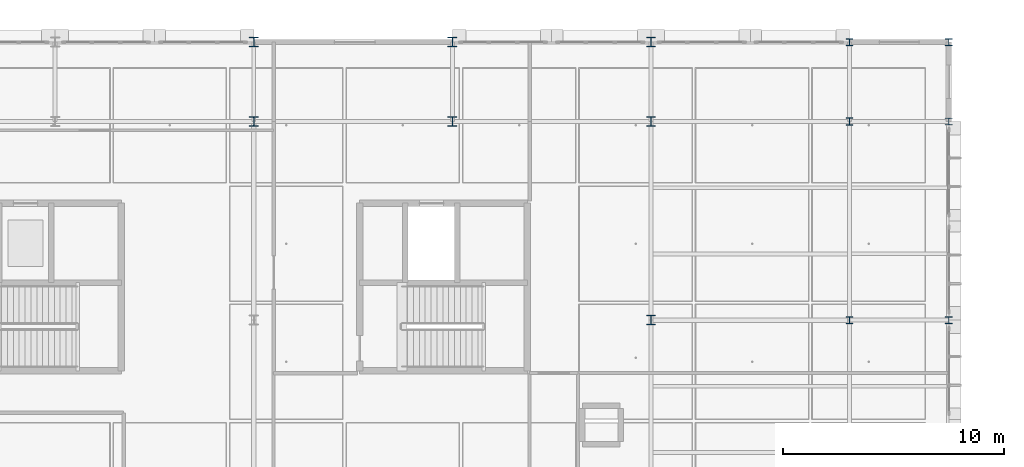
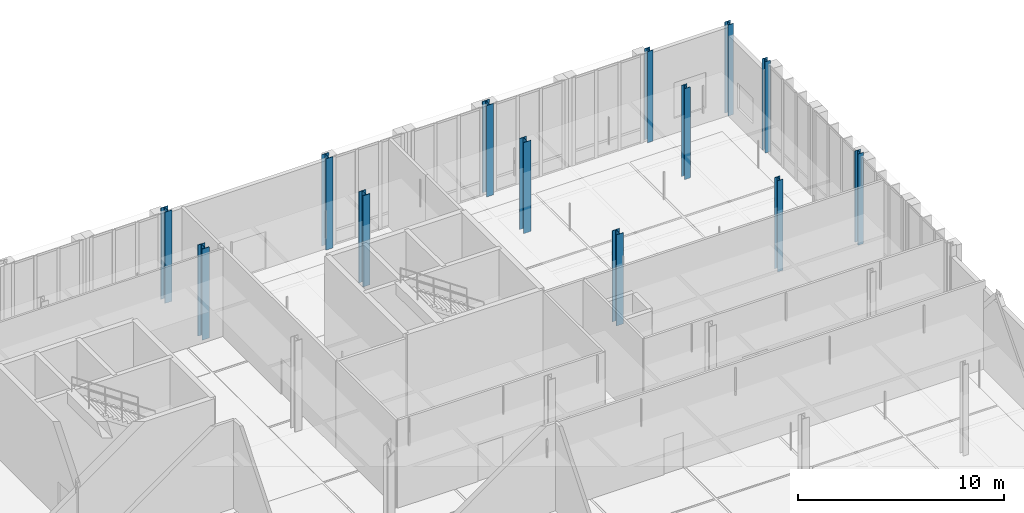
# One storey, part 27 of 180: 13 columns.
"""IFC4 building model written with IfcOpenShell, lengths in metres."""

from ifc_helpers import new_model, si_unit, direction, frame, origin, origin_2d, place, context, subcontext, project, spatial, i_section, extrude, material, material_profile, profile_set, type_object, element, save


model = new_model("IFC4")

# Units and contexts
model_context = context("Model", 3, precision=1e-05, world=origin(), true_north=direction((0.0, 1.0)))
body_context = subcontext(model_context, "Body", "Model", "MODEL_VIEW")
ifc_project = project(units=[si_unit("LENGTHUNIT", "METRE"), si_unit("AREAUNIT", "SQUARE_METRE"), si_unit("VOLUMEUNIT", "CUBIC_METRE"), si_unit("PLANEANGLEUNIT", "RADIAN"), si_unit("MASSUNIT", "GRAM", prefix="KILO"), si_unit("THERMODYNAMICTEMPERATUREUNIT", "KELVIN"), si_unit("POWERUNIT", "WATT")], contexts=[model_context])

# Site, building, storey
site_placement = place(None, origin())
site = spatial("IfcSite", under=ifc_project, at=site_placement, CompositionType="ELEMENT")
building_placement = place(site_placement, origin())
building = spatial("IfcBuilding", under=site, at=building_placement, Name="Tallowbark Science Centre", CompositionType="ELEMENT")
storey_placement = place(building_placement, origin())
storey = spatial("IfcBuildingStorey", under=building, at=storey_placement, Name="L00", CompositionType="ELEMENT", Elevation=0.0)

# Columns
ifc_material = material(Name="Structural Steel Grade 300PLUS (300 MPa)", Category="steel")
ifc_material_profile_1 = material_profile(ifc_material, i_section(OverallWidth=0.30908203125, OverallDepth=0.320556640625, WebThickness=0.013916015625, FlangeThickness=0.021728515625, FilletRadius=0.0166015625, at=origin_2d()), Name="310UC137")
ifc_profile_set_1 = profile_set([ifc_material_profile_1], Name="Structural Steel Grade 300PLUS (300 MPa)")
column_type_1 = type_object("IfcColumnType", Name="COL-UC310B", PredefinedType="COLUMN", material=ifc_profile_set_1)
for number, where, z_axis, x_axis, name in (
    (1, (157.5, 99.0, 0.0), (0.0, 0.0, 1.0), (1.0, 0.0, 0.0), "Column OBS-5_3 L00"),
    (2, (157.5, 108.0, 0.0), (0.0, 0.0, 1.0), (1.0, 0.0, 0.0), "Column OBS-5_4 L00"),
    (3, (157.5, 111.60009765625, 0.0), (0.0, 0.0, 1.0), (1.0, 0.0, 0.0), "Column OBS-5_5 L00"),
):
    element("IfcColumn", number, at=place(storey_placement, frame(where, z_axis=z_axis, x_axis=x_axis)), inside=storey, type_object=column_type_1, Name=name, PredefinedType="COLUMN", context=body_context, shape_type="SweptSolid", body=[
        extrude(i_section(OverallWidth=0.30908203125, OverallDepth=0.320556640625, WebThickness=0.013916015625, FlangeThickness=0.021728515625, FilletRadius=0.0166015625, at=origin_2d()), origin(), (0.0, 0.0, 1.0), 5.39990234375),
    ])
ifc_material_profile_2 = material_profile(ifc_material, i_section(OverallWidth=0.307373046875, OverallDepth=0.314697265625, WebThickness=0.011962890625, FlangeThickness=0.018798828125, FilletRadius=0.0166015625, at=origin_2d()), Name="310UC118")
ifc_profile_set_2 = profile_set([ifc_material_profile_2], Name="Structural Steel Grade 300PLUS (300 MPa)")
column_type_2 = type_object("IfcColumnType", Name="COL-UC310C", PredefinedType="COLUMN", material=ifc_profile_set_2)
for number, where, z_axis, x_axis, name in (
    (4, (162.0, 99.0, 0.0), (0.0, 0.0, 1.0), (1.0, 0.0, 0.0), "Column OBS-6_3 L00"),
    (5, (162.0, 108.0, 0.0), (0.0, 0.0, 1.0), (1.0, 0.0, 0.0), "Column OBS-6_4 L00"),
    (6, (162.0, 111.60009765625, 0.0), (0.0, 0.0, 1.0), (1.0, 0.0, 0.0), "Column OBS-6_5 L00"),
):
    element("IfcColumn", number, at=place(storey_placement, frame(where, z_axis=z_axis, x_axis=x_axis)), inside=storey, type_object=column_type_2, Name=name, PredefinedType="COLUMN", context=body_context, shape_type="SweptSolid", body=[
        extrude(i_section(OverallWidth=0.307373046875, OverallDepth=0.314697265625, WebThickness=0.011962890625, FlangeThickness=0.018798828125, FilletRadius=0.0166015625, at=origin_2d()), origin(), (0.0, 0.0, 1.0), 5.39990234375),
    ])
ifc_material_profile_3 = material_profile(ifc_material, i_section(OverallWidth=0.39990234375, OverallDepth=0.427978515625, WebThickness=0.02001953125, FlangeThickness=0.028076171875, FilletRadius=0.01611328125, at=origin_2d()), Name="400WC270")
ifc_profile_set_3 = profile_set([ifc_material_profile_3], Name="Structural Steel Grade 300PLUS (300 MPa)")
column_type_3 = type_object("IfcColumnType", Name="COL-WC400", PredefinedType="COLUMN", material=ifc_profile_set_3)
for number, where, z_axis, x_axis, name in (
    (7, (130.5, 108.0, 0.0), (0.0, 0.0, 1.0), (1.0, 0.0, 0.0), "Column OBS-2_4 L00"),
    (8, (130.5, 111.60009765625, 0.0), (0.0, 0.0, 1.0), (1.0, 0.0, 0.0), "Column OBS-2_5 L00"),
    (9, (139.5, 108.0, 0.0), (0.0, 0.0, 1.0), (1.0, 0.0, 0.0), "Column OBS-3_4 L00"),
    (10, (139.5, 111.60009765625, 0.0), (0.0, 0.0, 1.0), (1.0, 0.0, 0.0), "Column OBS-3_5 L00"),
    (11, (148.5, 99.0, 0.0), (0.0, 0.0, 1.0), (1.0, 0.0, 0.0), "Column OBS-4_3 L00"),
    (12, (148.5, 108.0, 0.0), (0.0, 0.0, 1.0), (1.0, 0.0, 0.0), "Column OBS-4_4 L00"),
    (13, (148.5, 111.60009765625, 0.0), (0.0, 0.0, 1.0), (1.0, 0.0, 0.0), "Column OBS-4_5 L00"),
):
    element("IfcColumn", number, at=place(storey_placement, frame(where, z_axis=z_axis, x_axis=x_axis)), inside=storey, type_object=column_type_3, Name=name, PredefinedType="COLUMN", context=body_context, shape_type="SweptSolid", body=[
        extrude(i_section(OverallWidth=0.39990234375, OverallDepth=0.427978515625, WebThickness=0.02001953125, FlangeThickness=0.028076171875, FilletRadius=0.01611328125, at=origin_2d()), origin(), (0.0, 0.0, 1.0), 5.39990234375),
    ])

save(model, "model.ifc")
